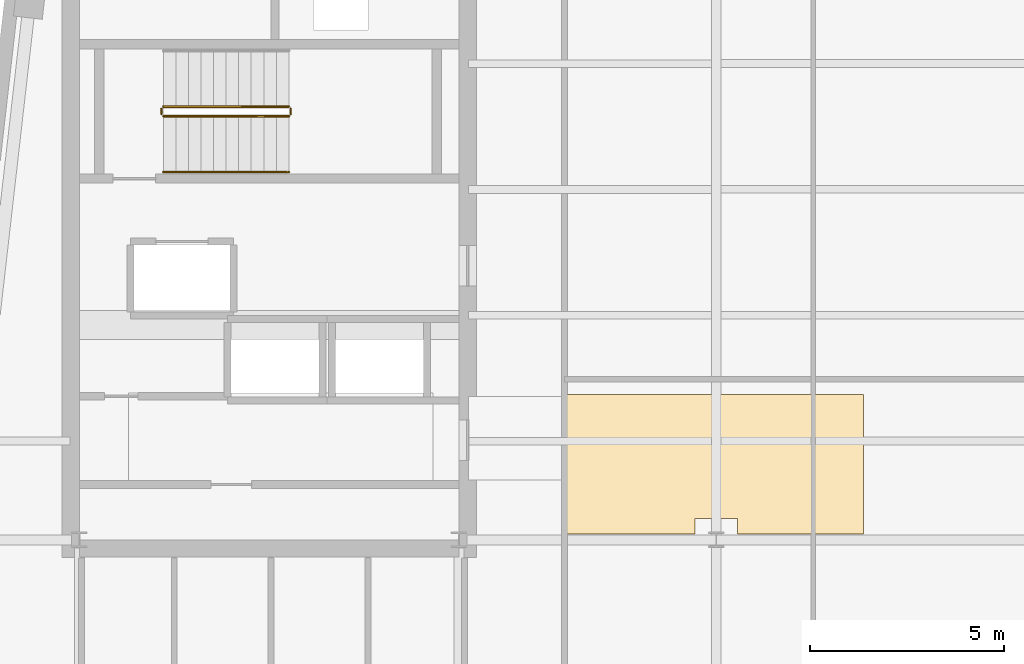
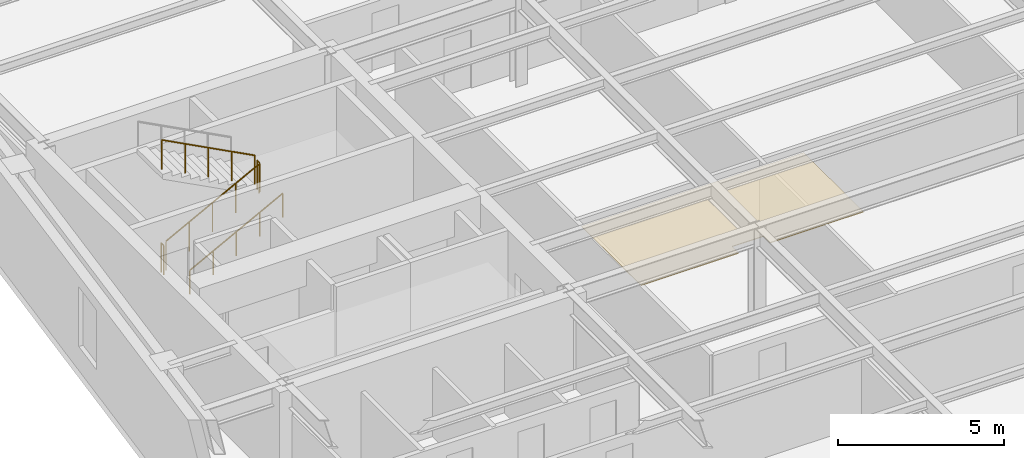
# One storey, part 11 of 14: 5 railings, 1 covering.
"""IFC4 building model written with IfcOpenShell, lengths in metres."""

from ifc_helpers import new_model, si_unit, direction, frame, origin, origin_2d, place, context, subcontext, project, spatial, polyline, circle, outline, extrude, material, layer, layer_set, type_object, element, save


model = new_model("IFC4")

# Units and contexts
model_context = context("Model", 3, precision=1e-05, world=origin(), true_north=direction((0.0, 1.0)))
body_context = subcontext(model_context, "Body", "Model", "MODEL_VIEW")
ifc_project = project(units=[si_unit("LENGTHUNIT", "METRE"), si_unit("AREAUNIT", "SQUARE_METRE"), si_unit("VOLUMEUNIT", "CUBIC_METRE"), si_unit("PLANEANGLEUNIT", "RADIAN"), si_unit("MASSUNIT", "GRAM", prefix="KILO")], contexts=[model_context])

# Site, building, storey
site_placement = place(None, origin())
site = spatial("IfcSite", under=ifc_project, at=site_placement, CompositionType="ELEMENT")
building_placement = place(site_placement, origin())
building = spatial("IfcBuilding", under=site, at=building_placement, Name="Kolvaren Arena Tower", CompositionType="ELEMENT")
storey_placement = place(building_placement, frame((0.0, 0.0, 247.199951171875)))
storey = spatial("IfcBuildingStorey", under=building, at=storey_placement, Name="L60", CompositionType="ELEMENT", Elevation=247.199951171875)

# Covering
ifc_material_1 = material(Name="Mineral fibre acoustic ceiling tile", Category="gypsum")
ifc_layer = layer(ifc_material_1, 0.02490234375)
ifc_layer_set = layer_set([ifc_layer], Name="Mineral fibre acoustic ceiling tile")
covering_type = type_object("IfcCoveringType", Name="CEIL-ACT-1", PredefinedType="CEILING", material=ifc_layer_set)
covering_placement = place(storey_placement, frame((0.0, 0.0, 2.52001953125)))
element("IfcCovering", 1, at=covering_placement, inside=storey, type_object=covering_type, Name="Suspended Ceiling (L60)", PredefinedType="CEILING", context=body_context, shape_type="SweptSolid", body=[
    extrude(outline(polyline([(27.050048828125, 19.60009765625), (27.050048828125, 23.199951171875), (34.800048828125, 23.199951171875), (34.800048828125, 19.60009765625), (31.550048828125, 19.60009765625), (31.550048828125, 20.0), (30.449951171875, 20.0), (30.449951171875, 19.60009765625), (27.050048828125, 19.60009765625)])), origin(), (0.0, 0.0, 1.0), 0.025146484375),
])

# Railings
ifc_material_2 = material(Name="Painted galvanized steel", Category="steel")
railing_type_1 = type_object("IfcRailingType", Name="GUARD-ST-110", PredefinedType="GUARDRAIL", material=ifc_material_2)
railing_1_placement = place(storey_placement, frame((16.719970703125, 30.389892578125, 0.17041015625)))
element("IfcRailing", 2, at=railing_1_placement, inside=storey, type_object=railing_type_1, Name="L60 ST-W1 stair guard 1", PredefinedType="GUARDRAIL", context=body_context, shape_type="SweptSolid", body=[
    extrude(circle(Radius=0.02392578125, at=origin_2d()), frame((0.0, 0.0, 1.076171875), z_axis=(0.884993431791, 0.0, 0.465603506952), x_axis=(0.0, 1.0, 0.0)), (0.0, 0.0, 1.0), 3.6611328125),
    extrude(circle(Radius=0.02099609375, at=origin_2d()), origin(), (0.0, 0.0, 1.0), 1.052001953125),
    extrude(circle(Radius=0.02099609375, at=origin_2d()), frame((0.81005859375, 0.0, 0.42626953125)), (0.0, 0.0, 1.0), 1.052001953125),
    extrude(circle(Radius=0.02099609375, at=origin_2d()), frame((1.6201171875, 0.0, 0.852294921875)), (0.0, 0.0, 1.0), 1.052001953125),
    extrude(circle(Radius=0.02099609375, at=origin_2d()), frame((2.429931640625, 0.0, 1.2783203125)), (0.0, 0.0, 1.0), 1.052001953125),
    extrude(circle(Radius=0.02099609375, at=origin_2d()), frame((3.239990234375, 0.0, 1.70458984375)), (0.0, 0.0, 1.0), 1.052001953125),
])
railing_2_placement = place(storey_placement, frame((20.010009765625, 30.43994140625, 1.875)))
element("IfcRailing", 3, at=railing_2_placement, inside=storey, type_object=railing_type_1, Name="L60 ST-W1 stair guard 2", PredefinedType="GUARDRAIL", context=body_context, shape_type="SweptSolid", body=[
    extrude(circle(Radius=0.02392578125, at=origin_2d()), frame((0.0, 0.0, 1.076171875), z_axis=(0.0, 1.0, 0.0), x_axis=(-1.0, 0.0, 0.0)), (0.0, 0.0, 1.0), 0.150146484375),
    extrude(circle(Radius=0.02099609375, at=origin_2d()), origin(), (0.0, 0.0, 1.0), 1.052001953125),
    extrude(circle(Radius=0.02099609375, at=origin_2d()), frame((0.0, 0.150146484375, 0.0)), (0.0, 0.0, 1.0), 1.052001953125),
])
railing_3_placement = place(storey_placement, frame((19.9599609375, 30.639892578125, 2.04541015625)))
element("IfcRailing", 4, at=railing_3_placement, inside=storey, type_object=railing_type_1, Name="L60 ST-W1 stair guard 3", PredefinedType="GUARDRAIL", context=body_context, shape_type="SweptSolid", body=[
    extrude(circle(Radius=0.02392578125, at=origin_2d()), frame((0.0, 0.0, 1.076171875), z_axis=(-0.884993431791, 0.0, 0.465603506952), x_axis=(0.0, -1.0, 0.0)), (0.0, 0.0, 1.0), 3.6611328125),
    extrude(circle(Radius=0.02099609375, at=origin_2d()), origin(), (0.0, 0.0, 1.0), 1.052001953125),
    extrude(circle(Radius=0.02099609375, at=origin_2d()), frame((-0.81005859375, 0.0, 0.42626953125)), (0.0, 0.0, 1.0), 1.052001953125),
    extrude(circle(Radius=0.02099609375, at=origin_2d()), frame((-1.6201171875, 0.0, 0.852294921875)), (0.0, 0.0, 1.0), 1.052001953125),
    extrude(circle(Radius=0.02099609375, at=origin_2d()), frame((-2.429931640625, 0.0, 1.2783203125)), (0.0, 0.0, 1.0), 1.052001953125),
    extrude(circle(Radius=0.02099609375, at=origin_2d()), frame((-3.239990234375, 0.0, 1.70458984375)), (0.0, 0.0, 1.0), 1.052001953125),
])
railing_4_placement = place(storey_placement, frame((16.669921875, 30.43994140625, 0.0)))
element("IfcRailing", 5, at=railing_4_placement, inside=storey, type_object=railing_type_1, Name="L60 ST-W1 stair guard 4", PredefinedType="GUARDRAIL", context=body_context, shape_type="SweptSolid", body=[
    extrude(circle(Radius=0.02392578125, at=origin_2d()), frame((0.0, 0.0, 1.076171875), z_axis=(0.0, 1.0, 0.0), x_axis=(-1.0, 0.0, 0.0)), (0.0, 0.0, 1.0), 0.150146484375),
    extrude(circle(Radius=0.02099609375, at=origin_2d()), origin(), (0.0, 0.0, 1.0), 1.052001953125),
    extrude(circle(Radius=0.02099609375, at=origin_2d()), frame((0.0, 0.150146484375, 0.0)), (0.0, 0.0, 1.0), 1.052001953125),
])
ifc_material_3 = material(Name="Brushed stainless steel handrail", Category="steel")
railing_type_2 = type_object("IfcRailingType", Name="HRAIL-900", PredefinedType="HANDRAIL", material=ifc_material_3)
railing_5_placement = place(storey_placement, frame((16.719970703125, 28.949951171875, 0.17041015625)))
element("IfcRailing", 6, at=railing_5_placement, inside=storey, type_object=railing_type_2, Name="L60 ST-W1 stair handrail 1", PredefinedType="HANDRAIL", context=body_context, shape_type="SweptSolid", body=[
    extrude(circle(Radius=0.02392578125, at=origin_2d()), frame((0.0, 0.0, 0.8759765625), z_axis=(0.884993431791, 0.0, 0.465603506952), x_axis=(0.0, 1.0, 0.0)), (0.0, 0.0, 1.0), 3.6611328125),
    extrude(circle(Radius=0.02099609375, at=origin_2d()), origin(), (0.0, 0.0, 1.0), 0.851806640625),
    extrude(circle(Radius=0.02099609375, at=origin_2d()), frame((0.81005859375, 0.0, 0.42626953125)), (0.0, 0.0, 1.0), 0.851806640625),
    extrude(circle(Radius=0.02099609375, at=origin_2d()), frame((1.6201171875, 0.0, 0.852294921875)), (0.0, 0.0, 1.0), 0.851806640625),
    extrude(circle(Radius=0.02099609375, at=origin_2d()), frame((2.429931640625, 0.0, 1.2783203125)), (0.0, 0.0, 1.0), 0.851806640625),
    extrude(circle(Radius=0.02099609375, at=origin_2d()), frame((3.239990234375, 0.0, 1.70458984375)), (0.0, 0.0, 1.0), 0.851806640625),
])

save(model, "model.ifc")
